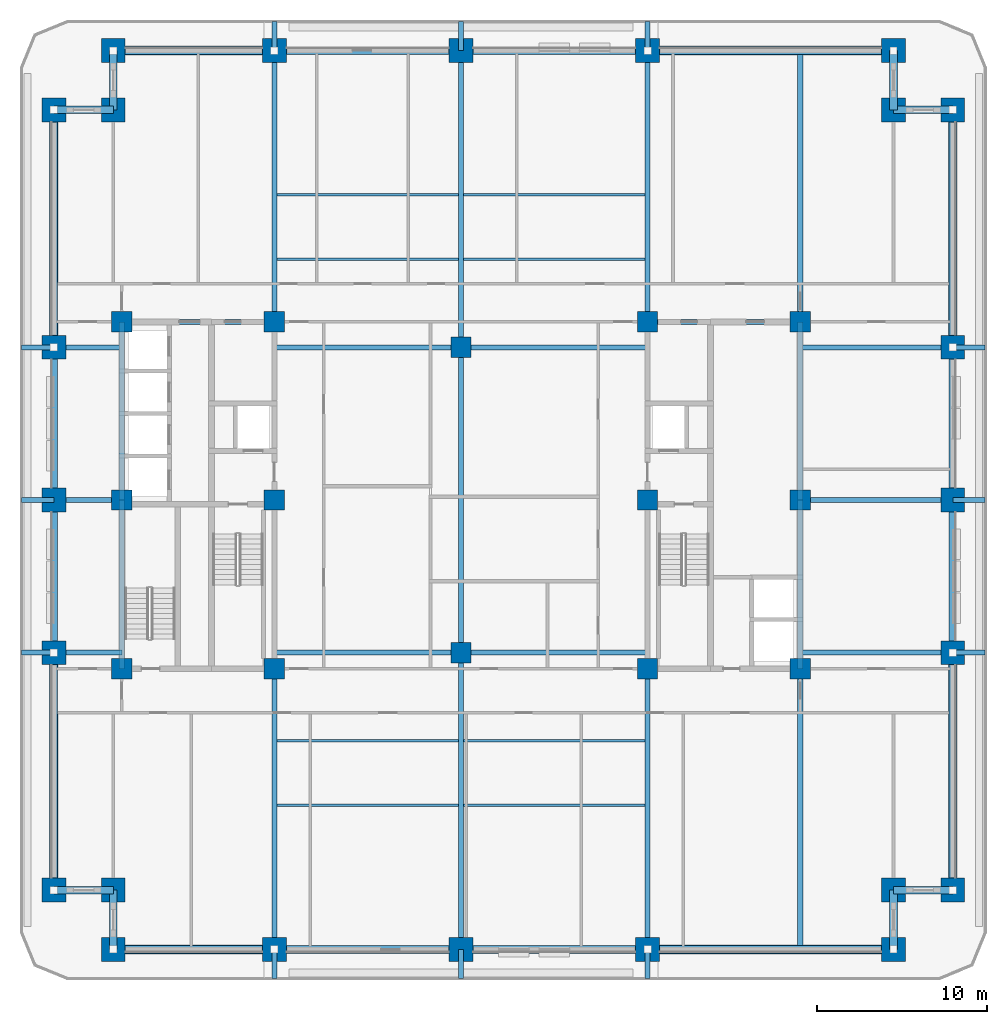
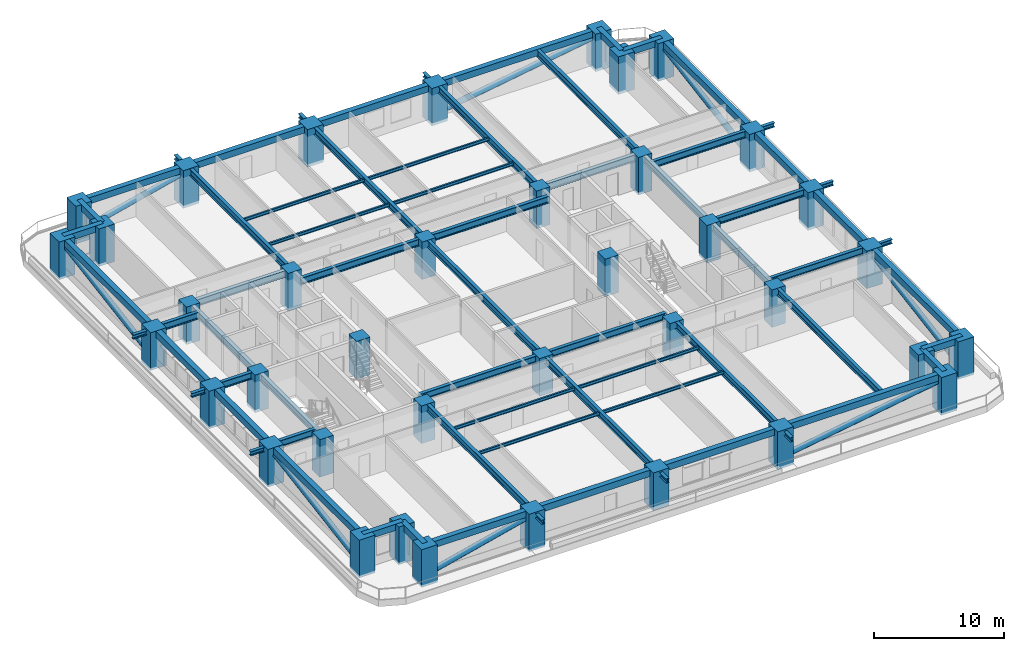
# One storey, part 1 of 14: 69 beams, 38 columns, 8 members.
"""IFC4 building model written with IfcOpenShell, lengths in metres."""

import ifcopenshell
import ifcopenshell.guid

model = None  # the IFC model being written
_history = None  # IfcOwnerHistory: only IFC2X3 demands one
_inside = {}  # id of a spatial element -> (the spatial element, [elements in it])
_under = {}  # id of a project, library or spatial element -> (it, [spatial elements below it])
_declared = {}  # id of a project -> (the project, [libraries it declares])
_typed = {}  # id of a type object -> (the type object, [elements of that type])
_made_of = {}  # id of a material, layer set ... -> (it, [elements and type objects made of it])


def new_model(schema):
    """Start an empty IFC model of exactly this schema.

    Asked for "IFC4X3", IfcOpenShell would pick the latest addendum, in which some entities
    have other attributes; the version numbers below select the first issue.
    IFC2X3 requires an IfcOwnerHistory on every rooted entity: one is made here for all.
    """
    global model, _history
    if schema == "IFC4X3":
        model = ifcopenshell.file(schema_version=(4, 3, 0, 0))
    else:
        model = ifcopenshell.file(schema=schema)
    _inside.clear()
    _under.clear()
    _declared.clear()
    _typed.clear()
    _made_of.clear()
    _history = None
    if model.schema == "IFC2X3":
        org = make("IfcOrganization", Name="unknown")
        user = make(
            "IfcPersonAndOrganization",
            ThePerson=make("IfcPerson", FamilyName="unknown"),
            TheOrganization=org,
        )
        app = make(
            "IfcApplication",
            ApplicationDeveloper=org,
            Version="unknown",
            ApplicationFullName="unknown",
            ApplicationIdentifier="unknown",
        )
        _history = make(
            "IfcOwnerHistory",
            OwningUser=user,
            OwningApplication=app,
            ChangeAction="ADDED",
            CreationDate=0,
        )
    return model


def make(cls, **values):
    """One entity of the class cls with the attributes given. An attribute that is None is left unset."""
    return model.create_entity(
        cls, **{name: value for name, value in values.items() if value is not None}
    )


def rooted(cls, **values):
    """An entity with a GlobalId (a new one), such as an element, a storey or a relation."""
    return make(cls, GlobalId=ifcopenshell.guid.new(), OwnerHistory=_history, **values)


def si_unit(unit_type, name, prefix=None):
    """IfcSIUnit, for example si_unit("LENGTHUNIT", "METRE", prefix="MILLI")."""
    return make("IfcSIUnit", UnitType=unit_type, Prefix=prefix, Name=name)


def assignment(units):
    """IfcUnitAssignment: the units of a project."""
    return None if units is None else make("IfcUnitAssignment", Units=units)


def point(xyz):
    """IfcCartesianPoint."""
    return None if xyz is None else make("IfcCartesianPoint", Coordinates=xyz)


def direction(xyz):
    """IfcDirection."""
    return None if xyz is None else make("IfcDirection", DirectionRatios=xyz)


def frame(location, z_axis=None, x_axis=None):
    """IfcAxis2Placement3D, a coordinate frame: its origin and axes. An axis left out is left unset."""
    return make(
        "IfcAxis2Placement3D",
        Location=point(location),
        Axis=direction(z_axis),
        RefDirection=direction(x_axis),
    )


def frame_2d(location, x_axis=None):
    """IfcAxis2Placement2D, a coordinate frame in the plane: its origin and x axis."""
    return make(
        "IfcAxis2Placement2D", Location=point(location), RefDirection=direction(x_axis)
    )


def origin():
    """The frame at (0, 0, 0) with its axes left unset."""
    return frame((0.0, 0.0, 0.0))


def origin_2d():
    """The frame at (0, 0) in the plane with its x axis left unset."""
    return frame_2d((0.0, 0.0))


def place(relative_to, where):
    """IfcLocalPlacement: puts the frame where relative to a parent placement (None: the world)."""
    return make(
        "IfcLocalPlacement", PlacementRelTo=relative_to, RelativePlacement=where
    )


def context(
    kind, dimensions, precision=None, world=None, true_north=None, identifier=None
):
    """IfcGeometricRepresentationContext, for example the 3D "Model" context."""
    return make(
        "IfcGeometricRepresentationContext",
        ContextIdentifier=identifier,
        ContextType=kind,
        CoordinateSpaceDimension=dimensions,
        Precision=precision,
        WorldCoordinateSystem=world,
        TrueNorth=true_north,
    )


def subcontext(parent, identifier, kind, view, scale=None):
    """IfcGeometricRepresentationSubContext, for example "Body" below "Model"."""
    return make(
        "IfcGeometricRepresentationSubContext",
        ContextIdentifier=identifier,
        ContextType=kind,
        ParentContext=parent,
        TargetScale=scale,
        TargetView=view,
    )


def project(units=None, contexts=None):
    """IfcProject with its units and contexts."""
    return rooted(
        "IfcProject",
        Name="project",
        RepresentationContexts=contexts,
        UnitsInContext=assignment(units),
    )


def spatial(cls, under=None, at=None, **own):
    """A site, building, storey or space (cls), placed at a placement, below another one or the project."""
    s = rooted(cls, ObjectPlacement=at, **own)
    if under is not None:
        _under.setdefault(under.id(), (under, []))[1].append(s)
    return s


def profile(cls, at=None, kind="AREA", **sizes):
    """A parametric profile (cls). Its sizes go by their IFC names, for example OverallWidth=200.0."""
    return make(cls, ProfileType=kind, Position=at, **sizes)


def rectangle(**sizes):
    """IfcRectangleProfileDef."""
    return profile("IfcRectangleProfileDef", **sizes)


def hollow_circle(**sizes):
    """IfcCircleHollowProfileDef."""
    return profile("IfcCircleHollowProfileDef", **sizes)


def i_section(**sizes):
    """IfcIShapeProfileDef."""
    return profile("IfcIShapeProfileDef", **sizes)


def extrude(swept, where, along, depth):
    """IfcExtrudedAreaSolid: the profile swept, set in the frame where, extruded along a direction by depth."""
    return make(
        "IfcExtrudedAreaSolid",
        SweptArea=swept,
        Position=where,
        ExtrudedDirection=direction(along),
        Depth=depth,
    )


def shape(context_of_items, identifier, shape_type, items):
    """IfcShapeRepresentation: the items that make up one representation, for example the "Body"."""
    return make(
        "IfcShapeRepresentation",
        ContextOfItems=context_of_items,
        RepresentationIdentifier=identifier,
        RepresentationType=shape_type,
        Items=items,
    )


def material(Name=None, Category=None):
    """IfcMaterial."""
    return make("IfcMaterial", Name=Name, Category=Category)


def material_profile(
    of_material, cross_section, Name=None, Category=None, Priority=None
):
    """IfcMaterialProfile: a cross section and its material."""
    return make(
        "IfcMaterialProfile",
        Name=Name,
        Material=of_material,
        Profile=cross_section,
        Priority=Priority,
        Category=Category,
    )


def profile_set(profiles, Name=None, composite=None):
    """IfcMaterialProfileSet."""
    return make(
        "IfcMaterialProfileSet",
        Name=Name,
        MaterialProfiles=profiles,
        CompositeProfile=composite,
    )


def made_of(thing, what):
    """Note that an element or type object is made of a material, layer set ...; save() writes the relation."""
    if what is not None:
        _made_of.setdefault(what.id(), (what, []))[1].append(thing)
    return thing


def type_object(cls, material=None, **own):
    """A type object (cls), such as IfcWallType, which elements share."""
    return made_of(rooted(cls, **own), material)


def element(
    cls,
    number,
    at=None,
    inside=None,
    cuts=None,
    type_object=None,
    material=None,
    context=None,
    identifier="Body",
    shape_type=None,
    held_by="IfcProductDefinitionShape",
    body=None,
    shapes=None,
    **own,
):
    """One element of the class cls, such as IfcWall. Its Tag is "e" and its number.

    at: its placement. inside: the storey or other place that contains it. cuts: it is an
    opening in that element (IfcRelVoidsElement). A single representation is given by context,
    identifier, shape_type and body (its items); several are given by shapes. held_by: the class
    of the entity that holds the representations. save() writes the other relations.
    """
    e = rooted(cls, Tag="e%d" % number, ObjectPlacement=at, **own)
    if body is not None:
        shapes = [shape(context, identifier, shape_type, body)]
    if shapes is not None:
        e.Representation = make(held_by, Representations=shapes)
    if inside is not None:
        _inside.setdefault(inside.id(), (inside, []))[1].append(e)
    if cuts is not None:
        rooted(
            "IfcRelVoidsElement", RelatingBuildingElement=cuts, RelatedOpeningElement=e
        )
    if type_object is not None:
        _typed.setdefault(type_object.id(), (type_object, []))[1].append(e)
    return made_of(e, material)


def aggregate(whole, parts):
    """IfcRelAggregates: a whole, such as a stair, and the parts it consists of."""
    return rooted("IfcRelAggregates", RelatingObject=whole, RelatedObjects=parts)


def save(model, path):
    """Write the relations noted so far, then the file.

    IfcRelAggregates (storeys below a building ...), IfcRelContainedInSpatialStructure (elements
    in a storey), IfcRelDefinesByType, IfcRelAssociatesMaterial and IfcRelDeclares: one each for
    every whole, place, type object, material and project.
    """
    for whole, parts in _under.values():
        aggregate(whole, parts)
    for where, things in _inside.values():
        rooted(
            "IfcRelContainedInSpatialStructure",
            RelatedElements=things,
            RelatingStructure=where,
        )
    for kind, things in _typed.values():
        rooted("IfcRelDefinesByType", RelatedObjects=things, RelatingType=kind)
    for what, things in _made_of.values():
        rooted("IfcRelAssociatesMaterial", RelatedObjects=things, RelatingMaterial=what)
    for by, libraries in _declared.values():
        rooted("IfcRelDeclares", RelatingContext=by, RelatedDefinitions=libraries)
    model.write(path)


model = new_model("IFC4")

# Units and contexts
model_context = context("Model", 3, precision=1e-05, world=origin(), true_north=direction((0.0, 1.0)))
body_context = subcontext(model_context, "Body", "Model", "MODEL_VIEW")
ifc_project = project(units=[si_unit("LENGTHUNIT", "METRE"), si_unit("AREAUNIT", "SQUARE_METRE"), si_unit("VOLUMEUNIT", "CUBIC_METRE"), si_unit("PLANEANGLEUNIT", "RADIAN"), si_unit("MASSUNIT", "GRAM", prefix="KILO")], contexts=[model_context])

# Site, building, storey
site_placement = place(None, origin())
site = spatial("IfcSite", under=ifc_project, at=site_placement, CompositionType="ELEMENT")
building_placement = place(site_placement, origin())
building = spatial("IfcBuilding", under=site, at=building_placement, Name="Zulmaris Gate Convention Tower", CompositionType="ELEMENT")
storey_placement = place(building_placement, frame((0.0, 0.0, 30.77001953125)))
storey = spatial("IfcBuildingStorey", under=building, at=storey_placement, Name="L06", CompositionType="ELEMENT", Elevation=30.77001953125)

# Columns
ifc_material_1 = material(Name="Concrete C70/85", Category="concrete")
ifc_material_profile_1 = material_profile(ifc_material_1, rectangle(XDim=1.199951171875, YDim=1.199951171875, at=origin_2d()), Name="RC COL 1200x1200")
ifc_profile_set_1 = profile_set([ifc_material_profile_1], Name="Concrete C70/85")
column_type_1 = type_object("IfcColumnType", Name="COL-RC1200", PredefinedType="COLUMN", material=ifc_profile_set_1)
for number, where, z_axis, x_axis, name in (
    (1, (-20.0, -9.949951171875, -0.25), (0.0, 0.0, 1.0), (1.0, 0.0, 0.0), "L06 Column IN--20.00_-9.95"),
    (2, (-20.0, 10.5, -0.25), (0.0, 0.0, 1.0), (1.0, 0.0, 0.0), "L06 Column IN--20.00_+10.50"),
    (3, (-11.0, -9.949951171875, -0.25), (0.0, 0.0, 1.0), (1.0, 0.0, 0.0), "L06 Column IN--11.00_-9.95"),
    (4, (-11.0, 0.0, -0.25), (0.0, 0.0, 1.0), (1.0, 0.0, 0.0), "L06 Column IN--11.00_+0.00"),
    (5, (-11.0, 10.5, -0.25), (0.0, 0.0, 1.0), (1.0, 0.0, 0.0), "L06 Column IN--11.00_+10.50"),
    (6, (11.0, -9.949951171875, -0.25), (0.0, 0.0, 1.0), (1.0, 0.0, 0.0), "L06 Column IN-+11.00_-9.95"),
    (7, (11.0, 0.0, -0.25), (0.0, 0.0, 1.0), (1.0, 0.0, 0.0), "L06 Column IN-+11.00_+0.00"),
    (8, (11.0, 10.5, -0.25), (0.0, 0.0, 1.0), (1.0, 0.0, 0.0), "L06 Column IN-+11.00_+10.50"),
    (9, (20.0, -9.949951171875, -0.25), (0.0, 0.0, 1.0), (1.0, 0.0, 0.0), "L06 Column IN-+20.00_-9.95"),
    (10, (20.0, 10.5, -0.25), (0.0, 0.0, 1.0), (1.0, 0.0, 0.0), "L06 Column IN-+20.00_+10.50"),
    (11, (0.0, -9.0, -0.25), (0.0, 0.0, 1.0), (1.0, 0.0, 0.0), "L06 Column IN-+0.00_-9.00"),
    (12, (0.0, 9.0, -0.25), (0.0, 0.0, 1.0), (1.0, 0.0, 0.0), "L06 Column IN-+0.00_+9.00"),
    (13, (-20.0, 0.0, -0.25), (0.0, 0.0, 1.0), (1.0, 0.0, 0.0), "L06 Column IN--20.00_+0.00"),
    (14, (20.0, 0.0, -0.25), (0.0, 0.0, 1.0), (1.0, 0.0, 0.0), "L06 Column IN-+20.00_+0.00"),
):
    element("IfcColumn", number, at=place(storey_placement, frame(where, z_axis=z_axis, x_axis=x_axis)), inside=storey, type_object=column_type_1, Name=name, PredefinedType="COLUMN", context=body_context, shape_type="SweptSolid", body=[
        extrude(rectangle(XDim=1.199951171875, YDim=1.199951171875, at=origin_2d()), origin(), (0.0, 0.0, 1.0), 3.52001953125),
    ])
ifc_material_2 = material(Name="Concrete C80/95", Category="concrete")
ifc_material_profile_2 = material_profile(ifc_material_2, rectangle(XDim=1.39990234375, YDim=1.39990234375, at=origin_2d()), Name="RC COL 1400x1400")
ifc_profile_set_2 = profile_set([ifc_material_profile_2], Name="Concrete C80/95")
column_type_2 = type_object("IfcColumnType", Name="COL-RC1400", PredefinedType="COLUMN", material=ifc_profile_set_2)
for number, where, z_axis, x_axis, name in (
    (15, (-20.5, -26.5, -0.25), (0.0, 0.0, 1.0), (1.0, 0.0, 0.0), "L06 Column PT--20.50_-26.50"),
    (16, (-11.0, -26.5, -0.25), (0.0, 0.0, 1.0), (1.0, 0.0, 0.0), "L06 Column PT--11.00_-26.50"),
    (17, (0.0, -26.5, -0.25), (0.0, 0.0, 1.0), (1.0, 0.0, 0.0), "L06 Column PT-+0.00_-26.50"),
    (18, (11.0, -26.5, -0.25), (0.0, 0.0, 1.0), (1.0, 0.0, 0.0), "L06 Column PT-+11.00_-26.50"),
    (19, (25.5, -26.5, -0.25), (0.0, 0.0, 1.0), (1.0, 0.0, 0.0), "L06 Column PT-+25.50_-26.50"),
    (20, (-20.5, 26.5, -0.25), (0.0, 0.0, 1.0), (1.0, 0.0, 0.0), "L06 Column PT--20.50_+26.50"),
    (21, (-11.0, 26.5, -0.25), (0.0, 0.0, 1.0), (1.0, 0.0, 0.0), "L06 Column PT--11.00_+26.50"),
    (22, (0.0, 26.5, -0.25), (0.0, 0.0, 1.0), (1.0, 0.0, 0.0), "L06 Column PT-+0.00_+26.50"),
    (23, (11.0, 26.5, -0.25), (0.0, 0.0, 1.0), (1.0, 0.0, 0.0), "L06 Column PT-+11.00_+26.50"),
    (24, (25.5, 26.5, -0.25), (0.0, 0.0, 1.0), (1.0, 0.0, 0.0), "L06 Column PT-+25.50_+26.50"),
    (25, (-24.0, -23.0, -0.25), (0.0, 0.0, 1.0), (1.0, 0.0, 0.0), "L06 Column PT--24.00_-23.00"),
    (26, (-24.0, -9.0, -0.25), (0.0, 0.0, 1.0), (1.0, 0.0, 0.0), "L06 Column PT--24.00_-9.00"),
    (27, (-24.0, 0.0, -0.25), (0.0, 0.0, 1.0), (1.0, 0.0, 0.0), "L06 Column PT--24.00_+0.00"),
    (28, (-24.0, 9.0, -0.25), (0.0, 0.0, 1.0), (1.0, 0.0, 0.0), "L06 Column PT--24.00_+9.00"),
    (29, (-24.0, 23.0, -0.25), (0.0, 0.0, 1.0), (1.0, 0.0, 0.0), "L06 Column PT--24.00_+23.00"),
    (30, (29.0, -23.0, -0.25), (0.0, 0.0, 1.0), (1.0, 0.0, 0.0), "L06 Column PT-+29.00_-23.00"),
    (31, (29.0, -9.0, -0.25), (0.0, 0.0, 1.0), (1.0, 0.0, 0.0), "L06 Column PT-+29.00_-9.00"),
    (32, (29.0, 0.0, -0.25), (0.0, 0.0, 1.0), (1.0, 0.0, 0.0), "L06 Column PT-+29.00_+0.00"),
    (33, (29.0, 9.0, -0.25), (0.0, 0.0, 1.0), (1.0, 0.0, 0.0), "L06 Column PT-+29.00_+9.00"),
    (34, (29.0, 23.0, -0.25), (0.0, 0.0, 1.0), (1.0, 0.0, 0.0), "L06 Column PT-+29.00_+23.00"),
    (35, (-20.5, -23.0, -0.25), (0.0, 0.0, 1.0), (1.0, 0.0, 0.0), "L06 Column PT--20.50_-23.00"),
    (36, (25.5, -23.0, -0.25), (0.0, 0.0, 1.0), (1.0, 0.0, 0.0), "L06 Column PT-+25.50_-23.00"),
    (37, (25.5, 23.0, -0.25), (0.0, 0.0, 1.0), (1.0, 0.0, 0.0), "L06 Column PT-+25.50_+23.00"),
    (38, (-20.5, 23.0, -0.25), (0.0, 0.0, 1.0), (1.0, 0.0, 0.0), "L06 Column PT--20.50_+23.00"),
):
    element("IfcColumn", number, at=place(storey_placement, frame(where, z_axis=z_axis, x_axis=x_axis)), inside=storey, type_object=column_type_2, Name=name, PredefinedType="COLUMN", context=body_context, shape_type="SweptSolid", body=[
        extrude(rectangle(XDim=1.39990234375, YDim=1.39990234375, at=origin_2d()), origin(), (0.0, 0.0, 1.0), 3.52001953125),
    ])

# Beams
ifc_material_3 = material(Name="Steel S355", Category="steel")
ifc_material_profile_3 = material_profile(ifc_material_3, i_section(OverallWidth=0.300048828125, OverallDepth=0.39990234375, WebThickness=0.013427734375, FlangeThickness=0.02392578125, FilletRadius=0.027099609375, at=origin_2d()), Name="HEB 400")
ifc_profile_set_3 = profile_set([ifc_material_profile_3], Name="Steel S355")
beam_type_1 = type_object("IfcBeamType", Name="BM-HEB400", PredefinedType="BEAM", material=ifc_profile_set_3)
for number, where, z_axis, x_axis, name in (
    (39, (-11.0, -28.199951171875, 2.93017578125), (0.0, 1.0, 0.0), (-1.0, 0.0, 0.0), "L06 Beam TBRK-L06-S--11"),
    (40, (-11.0, 26.5, 2.93017578125), (0.0, 1.0, 0.0), (-1.0, 0.0, 0.0), "L06 Beam TBRK-L06-N--11"),
    (41, (0.0, -28.199951171875, 2.93017578125), (0.0, 1.0, 0.0), (-1.0, 0.0, 0.0), "L06 Beam TBRK-L06-S-+0"),
    (42, (0.0, 26.5, 2.93017578125), (0.0, 1.0, 0.0), (-1.0, 0.0, 0.0), "L06 Beam TBRK-L06-N-+0"),
    (43, (11.0, -28.199951171875, 2.93017578125), (0.0, 1.0, 0.0), (-1.0, 0.0, 0.0), "L06 Beam TBRK-L06-S-+11"),
    (44, (11.0, 26.5, 2.93017578125), (0.0, 1.0, 0.0), (-1.0, 0.0, 0.0), "L06 Beam TBRK-L06-N-+11"),
):
    element("IfcBeam", number, at=place(storey_placement, frame(where, z_axis=z_axis, x_axis=x_axis)), inside=storey, type_object=beam_type_1, Name=name, PredefinedType="BEAM", context=body_context, shape_type="SweptSolid", body=[
        extrude(i_section(OverallWidth=0.300048828125, OverallDepth=0.39990234375, WebThickness=0.013427734375, FlangeThickness=0.02392578125, FilletRadius=0.027099609375, at=origin_2d()), origin(), (0.0, 0.0, 1.0), 1.699951171875),
    ])
for number, where, z_axis, x_axis, name in (
    (45, (-25.89990234375, -9.0, 2.93017578125), (1.0, 0.0, 0.0), (0.0, 1.0, 0.0), "L06 Beam TBRK-L06-W--9"),
    (46, (29.0, -9.0, 2.93017578125), (1.0, 0.0, 0.0), (0.0, 1.0, 0.0), "L06 Beam TBRK-L06-E--9"),
    (47, (-25.89990234375, 0.0, 2.93017578125), (1.0, 0.0, 0.0), (0.0, 1.0, 0.0), "L06 Beam TBRK-L06-W-+0"),
    (48, (29.0, 0.0, 2.93017578125), (1.0, 0.0, 0.0), (0.0, 1.0, 0.0), "L06 Beam TBRK-L06-E-+0"),
    (49, (-25.89990234375, 9.0, 2.93017578125), (1.0, 0.0, 0.0), (0.0, 1.0, 0.0), "L06 Beam TBRK-L06-W-+9"),
    (50, (29.0, 9.0, 2.93017578125), (1.0, 0.0, 0.0), (0.0, 1.0, 0.0), "L06 Beam TBRK-L06-E-+9"),
):
    element("IfcBeam", number, at=place(storey_placement, frame(where, z_axis=z_axis, x_axis=x_axis)), inside=storey, type_object=beam_type_1, Name=name, PredefinedType="BEAM", context=body_context, shape_type="SweptSolid", body=[
        extrude(i_section(OverallWidth=0.300048828125, OverallDepth=0.39990234375, WebThickness=0.013427734375, FlangeThickness=0.02392578125, FilletRadius=0.027099609375, at=origin_2d()), origin(), (0.0, 0.0, 1.0), 1.89990234375),
    ])
ifc_material_profile_4 = material_profile(ifc_material_3, i_section(OverallWidth=0.300048828125, OverallDepth=0.64990234375, WebThickness=0.01611328125, FlangeThickness=0.031005859375, FilletRadius=0.027099609375, at=origin_2d()), Name="HEB 650")
ifc_profile_set_4 = profile_set([ifc_material_profile_4], Name="Steel S355")
beam_type_2 = type_object("IfcBeamType", Name="BM-HEB650", PredefinedType="BEAM", material=ifc_profile_set_4)
for number, where, z_axis, x_axis, name in (
    (51, (-11.0, -9.0, 2.943115234375), (1.0, 0.0, 0.0), (0.0, 1.0, 0.0), "L06 Beam BM-L06-G01"),
    (52, (0.0, -9.0, 2.943115234375), (1.0, 0.0, 0.0), (0.0, 1.0, 0.0), "L06 Beam BM-L06-G02"),
    (53, (-11.0, 9.0, 2.943115234375), (1.0, 0.0, 0.0), (0.0, 1.0, 0.0), "L06 Beam BM-L06-G03"),
    (54, (0.0, 9.0, 2.943115234375), (1.0, 0.0, 0.0), (0.0, 1.0, 0.0), "L06 Beam BM-L06-G04"),
):
    element("IfcBeam", number, at=place(storey_placement, frame(where, z_axis=z_axis, x_axis=x_axis)), inside=storey, type_object=beam_type_2, Name=name, PredefinedType="BEAM", context=body_context, shape_type="SweptSolid", body=[
        extrude(i_section(OverallWidth=0.300048828125, OverallDepth=0.64990234375, WebThickness=0.01611328125, FlangeThickness=0.031005859375, FilletRadius=0.027099609375, at=origin_2d()), origin(), (0.0, 0.0, 1.0), 11.0),
    ])
beam_1_placement = place(storey_placement, frame((0.0, -26.5, 2.943115234375), z_axis=(0.0, 1.0, 0.0), x_axis=(-1.0, 0.0, 0.0)))
element("IfcBeam", 55, at=beam_1_placement, inside=storey, type_object=beam_type_2, Name="L06 Beam BM-L06-G05", PredefinedType="BEAM", context=body_context, shape_type="SweptSolid", body=[
    extrude(i_section(OverallWidth=0.300048828125, OverallDepth=0.64990234375, WebThickness=0.01611328125, FlangeThickness=0.031005859375, FilletRadius=0.027099609375, at=origin_2d()), origin(), (0.0, 0.0, 1.0), 17.5),
])
beam_2_placement = place(storey_placement, frame((0.0, -9.0, 2.943115234375), z_axis=(0.0, 1.0, 0.0), x_axis=(-1.0, 0.0, 0.0)))
element("IfcBeam", 56, at=beam_2_placement, inside=storey, type_object=beam_type_2, Name="L06 Beam BM-L06-G06", PredefinedType="BEAM", context=body_context, shape_type="SweptSolid", body=[
    extrude(i_section(OverallWidth=0.300048828125, OverallDepth=0.64990234375, WebThickness=0.01611328125, FlangeThickness=0.031005859375, FilletRadius=0.027099609375, at=origin_2d()), origin(), (0.0, 0.0, 1.0), 18.0),
])
beam_3_placement = place(storey_placement, frame((0.0, 9.0, 2.943115234375), z_axis=(0.0, 1.0, 0.0), x_axis=(-1.0, 0.0, 0.0)))
element("IfcBeam", 57, at=beam_3_placement, inside=storey, type_object=beam_type_2, Name="L06 Beam BM-L06-G07", PredefinedType="BEAM", context=body_context, shape_type="SweptSolid", body=[
    extrude(i_section(OverallWidth=0.300048828125, OverallDepth=0.64990234375, WebThickness=0.01611328125, FlangeThickness=0.031005859375, FilletRadius=0.027099609375, at=origin_2d()), origin(), (0.0, 0.0, 1.0), 17.5),
])
beam_4_placement = place(storey_placement, frame((-11.0, -26.5, 2.943115234375), z_axis=(0.0, 1.0, 0.0), x_axis=(-1.0, 0.0, 0.0)))
element("IfcBeam", 58, at=beam_4_placement, inside=storey, type_object=beam_type_2, Name="L06 Beam BM-L06-G08", PredefinedType="BEAM", context=body_context, shape_type="SweptSolid", body=[
    extrude(i_section(OverallWidth=0.300048828125, OverallDepth=0.64990234375, WebThickness=0.01611328125, FlangeThickness=0.031005859375, FilletRadius=0.027099609375, at=origin_2d()), origin(), (0.0, 0.0, 1.0), 16.550048828125),
])
beam_5_placement = place(storey_placement, frame((-11.0, 10.5, 2.943115234375), z_axis=(0.0, 1.0, 0.0), x_axis=(-1.0, 0.0, 0.0)))
element("IfcBeam", 59, at=beam_5_placement, inside=storey, type_object=beam_type_2, Name="L06 Beam BM-L06-G09", PredefinedType="BEAM", context=body_context, shape_type="SweptSolid", body=[
    extrude(i_section(OverallWidth=0.300048828125, OverallDepth=0.64990234375, WebThickness=0.01611328125, FlangeThickness=0.031005859375, FilletRadius=0.027099609375, at=origin_2d()), origin(), (0.0, 0.0, 1.0), 16.0),
])
beam_6_placement = place(storey_placement, frame((11.0, -26.5, 2.943115234375), z_axis=(0.0, 1.0, 0.0), x_axis=(-1.0, 0.0, 0.0)))
element("IfcBeam", 60, at=beam_6_placement, inside=storey, type_object=beam_type_2, Name="L06 Beam BM-L06-G10", PredefinedType="BEAM", context=body_context, shape_type="SweptSolid", body=[
    extrude(i_section(OverallWidth=0.300048828125, OverallDepth=0.64990234375, WebThickness=0.01611328125, FlangeThickness=0.031005859375, FilletRadius=0.027099609375, at=origin_2d()), origin(), (0.0, 0.0, 1.0), 16.550048828125),
])
beam_7_placement = place(storey_placement, frame((11.0, 10.5, 2.943115234375), z_axis=(0.0, 1.0, 0.0), x_axis=(-1.0, 0.0, 0.0)))
element("IfcBeam", 61, at=beam_7_placement, inside=storey, type_object=beam_type_2, Name="L06 Beam BM-L06-G11", PredefinedType="BEAM", context=body_context, shape_type="SweptSolid", body=[
    extrude(i_section(OverallWidth=0.300048828125, OverallDepth=0.64990234375, WebThickness=0.01611328125, FlangeThickness=0.031005859375, FilletRadius=0.027099609375, at=origin_2d()), origin(), (0.0, 0.0, 1.0), 16.0),
])
beam_8_placement = place(storey_placement, frame((20.0, -26.5, 2.943115234375), z_axis=(0.0, 1.0, 0.0), x_axis=(-1.0, 0.0, 0.0)))
element("IfcBeam", 62, at=beam_8_placement, inside=storey, type_object=beam_type_2, Name="L06 Beam BM-L06-G14", PredefinedType="BEAM", context=body_context, shape_type="SweptSolid", body=[
    extrude(i_section(OverallWidth=0.300048828125, OverallDepth=0.64990234375, WebThickness=0.01611328125, FlangeThickness=0.031005859375, FilletRadius=0.027099609375, at=origin_2d()), origin(), (0.0, 0.0, 1.0), 16.550048828125),
])
beam_9_placement = place(storey_placement, frame((20.0, 10.5, 2.943115234375), z_axis=(0.0, 1.0, 0.0), x_axis=(-1.0, 0.0, 0.0)))
element("IfcBeam", 63, at=beam_9_placement, inside=storey, type_object=beam_type_2, Name="L06 Beam BM-L06-G15", PredefinedType="BEAM", context=body_context, shape_type="SweptSolid", body=[
    extrude(i_section(OverallWidth=0.300048828125, OverallDepth=0.64990234375, WebThickness=0.01611328125, FlangeThickness=0.031005859375, FilletRadius=0.027099609375, at=origin_2d()), origin(), (0.0, 0.0, 1.0), 16.0),
])
for number, where, z_axis, x_axis, name in (
    (64, (-24.0, -9.0, 2.943115234375), (1.0, 0.0, 0.0), (0.0, 1.0, 0.0), "L06 Beam BM-L06-G16"),
    (65, (-24.0, 0.0, 2.943115234375), (1.0, 0.0, 0.0), (0.0, 1.0, 0.0), "L06 Beam BM-L06-G17"),
    (66, (-24.0, 9.0, 2.943115234375), (1.0, 0.0, 0.0), (0.0, 1.0, 0.0), "L06 Beam BM-L06-G18"),
):
    element("IfcBeam", number, at=place(storey_placement, frame(where, z_axis=z_axis, x_axis=x_axis)), inside=storey, type_object=beam_type_2, Name=name, PredefinedType="BEAM", context=body_context, shape_type="SweptSolid", body=[
        extrude(i_section(OverallWidth=0.300048828125, OverallDepth=0.64990234375, WebThickness=0.01611328125, FlangeThickness=0.031005859375, FilletRadius=0.027099609375, at=origin_2d()), origin(), (0.0, 0.0, 1.0), 4.0),
    ])
for number, where, z_axis, x_axis, name in (
    (67, (20.0, -9.0, 2.943115234375), (1.0, 0.0, 0.0), (0.0, 1.0, 0.0), "L06 Beam BM-L06-G19"),
    (68, (20.0, 0.0, 2.943115234375), (1.0, 0.0, 0.0), (0.0, 1.0, 0.0), "L06 Beam BM-L06-G20"),
    (69, (20.0, 9.0, 2.943115234375), (1.0, 0.0, 0.0), (0.0, 1.0, 0.0), "L06 Beam BM-L06-G21"),
    (70, (-20.0, 10.5, 2.943115234375), (1.0, 0.0, 0.0), (0.0, 1.0, 0.0), "L06 Beam BM-L06-G23"),
    (71, (11.0, 10.5, 2.943115234375), (1.0, 0.0, 0.0), (0.0, 1.0, 0.0), "L06 Beam BM-L06-G25"),
):
    element("IfcBeam", number, at=place(storey_placement, frame(where, z_axis=z_axis, x_axis=x_axis)), inside=storey, type_object=beam_type_2, Name=name, PredefinedType="BEAM", context=body_context, shape_type="SweptSolid", body=[
        extrude(i_section(OverallWidth=0.300048828125, OverallDepth=0.64990234375, WebThickness=0.01611328125, FlangeThickness=0.031005859375, FilletRadius=0.027099609375, at=origin_2d()), origin(), (0.0, 0.0, 1.0), 9.0),
    ])
beam_10_placement = place(storey_placement, frame((-20.0, -9.949951171875, 2.943115234375), z_axis=(0.0, 1.0, 0.0), x_axis=(-1.0, 0.0, 0.0)))
element("IfcBeam", 72, at=beam_10_placement, inside=storey, type_object=beam_type_2, Name="L06 Beam BM-L06-G26", PredefinedType="BEAM", context=body_context, shape_type="SweptSolid", body=[
    extrude(i_section(OverallWidth=0.300048828125, OverallDepth=0.64990234375, WebThickness=0.01611328125, FlangeThickness=0.031005859375, FilletRadius=0.027099609375, at=origin_2d()), origin(), (0.0, 0.0, 1.0), 9.949951171875),
])
beam_11_placement = place(storey_placement, frame((-20.0, 0.0, 2.943115234375), z_axis=(0.0, 1.0, 0.0), x_axis=(-1.0, 0.0, 0.0)))
element("IfcBeam", 73, at=beam_11_placement, inside=storey, type_object=beam_type_2, Name="L06 Beam BM-L06-G27", PredefinedType="BEAM", context=body_context, shape_type="SweptSolid", body=[
    extrude(i_section(OverallWidth=0.300048828125, OverallDepth=0.64990234375, WebThickness=0.01611328125, FlangeThickness=0.031005859375, FilletRadius=0.027099609375, at=origin_2d()), origin(), (0.0, 0.0, 1.0), 10.5),
])
beam_12_placement = place(storey_placement, frame((20.0, -9.949951171875, 2.943115234375), z_axis=(0.0, 1.0, 0.0), x_axis=(-1.0, 0.0, 0.0)))
element("IfcBeam", 74, at=beam_12_placement, inside=storey, type_object=beam_type_2, Name="L06 Beam BM-L06-G28", PredefinedType="BEAM", context=body_context, shape_type="SweptSolid", body=[
    extrude(i_section(OverallWidth=0.300048828125, OverallDepth=0.64990234375, WebThickness=0.01611328125, FlangeThickness=0.031005859375, FilletRadius=0.027099609375, at=origin_2d()), origin(), (0.0, 0.0, 1.0), 9.949951171875),
])
beam_13_placement = place(storey_placement, frame((20.0, 0.0, 2.943115234375), z_axis=(0.0, 1.0, 0.0), x_axis=(-1.0, 0.0, 0.0)))
element("IfcBeam", 75, at=beam_13_placement, inside=storey, type_object=beam_type_2, Name="L06 Beam BM-L06-G29", PredefinedType="BEAM", context=body_context, shape_type="SweptSolid", body=[
    extrude(i_section(OverallWidth=0.300048828125, OverallDepth=0.64990234375, WebThickness=0.01611328125, FlangeThickness=0.031005859375, FilletRadius=0.027099609375, at=origin_2d()), origin(), (0.0, 0.0, 1.0), 10.5),
])
ifc_material_4 = material(Name="Precast concrete C50/60", Category="concrete")
ifc_material_profile_5 = material_profile(ifc_material_4, rectangle(XDim=0.449951171875, YDim=0.60009765625, at=origin_2d()), Name="RC SPANDREL 450x600")
ifc_profile_set_5 = profile_set([ifc_material_profile_5], Name="Precast concrete C50/60")
beam_type_3 = type_object("IfcBeamType", Name="BM-SP450x600", PredefinedType="SPANDREL", material=ifc_profile_set_5)
beam_14_placement = place(storey_placement, frame((-20.5, -26.5, 2.969970703125), z_axis=(1.0, 0.0, 0.0), x_axis=(0.0, 1.0, 0.0)))
element("IfcBeam", 76, at=beam_14_placement, inside=storey, type_object=beam_type_3, Name="L06 Spandrel SP-L06-01", PredefinedType="SPANDREL", context=body_context, shape_type="SweptSolid", body=[
    extrude(rectangle(XDim=0.449951171875, YDim=0.60009765625, at=origin_2d()), origin(), (0.0, 0.0, 1.0), 9.5),
])
for number, where, z_axis, x_axis, name in (
    (77, (-11.0, -26.5, 2.969970703125), (1.0, 0.0, 0.0), (0.0, 1.0, 0.0), "L06 Spandrel SP-L06-02"),
    (78, (0.0, -26.5, 2.969970703125), (1.0, 0.0, 0.0), (0.0, 1.0, 0.0), "L06 Spandrel SP-L06-03"),
):
    element("IfcBeam", number, at=place(storey_placement, frame(where, z_axis=z_axis, x_axis=x_axis)), inside=storey, type_object=beam_type_3, Name=name, PredefinedType="SPANDREL", context=body_context, shape_type="SweptSolid", body=[
        extrude(rectangle(XDim=0.449951171875, YDim=0.60009765625, at=origin_2d()), origin(), (0.0, 0.0, 1.0), 11.0),
    ])
beam_15_placement = place(storey_placement, frame((11.0, -26.5, 2.969970703125), z_axis=(1.0, 0.0, 0.0), x_axis=(0.0, 1.0, 0.0)))
element("IfcBeam", 79, at=beam_15_placement, inside=storey, type_object=beam_type_3, Name="L06 Spandrel SP-L06-04", PredefinedType="SPANDREL", context=body_context, shape_type="SweptSolid", body=[
    extrude(rectangle(XDim=0.449951171875, YDim=0.60009765625, at=origin_2d()), origin(), (0.0, 0.0, 1.0), 14.5),
])
for number, where, z_axis, x_axis, name in (
    (80, (25.5, -26.5, 2.969970703125), (0.0, 1.0, 0.0), (-1.0, 0.0, 0.0), "L06 Spandrel SP-L06-05"),
    (81, (25.5, -23.0, 2.969970703125), (1.0, 0.0, 0.0), (0.0, 1.0, 0.0), "L06 Spandrel SP-L06-06"),
):
    element("IfcBeam", number, at=place(storey_placement, frame(where, z_axis=z_axis, x_axis=x_axis)), inside=storey, type_object=beam_type_3, Name=name, PredefinedType="SPANDREL", context=body_context, shape_type="SweptSolid", body=[
        extrude(rectangle(XDim=0.449951171875, YDim=0.60009765625, at=origin_2d()), origin(), (0.0, 0.0, 1.0), 3.5),
    ])
beam_16_placement = place(storey_placement, frame((29.0, -23.0, 2.969970703125), z_axis=(0.0, 1.0, 0.0), x_axis=(-1.0, 0.0, 0.0)))
element("IfcBeam", 82, at=beam_16_placement, inside=storey, type_object=beam_type_3, Name="L06 Spandrel SP-L06-07", PredefinedType="SPANDREL", context=body_context, shape_type="SweptSolid", body=[
    extrude(rectangle(XDim=0.449951171875, YDim=0.60009765625, at=origin_2d()), origin(), (0.0, 0.0, 1.0), 14.0),
])
for number, where, z_axis, x_axis, name in (
    (83, (29.0, -9.0, 2.969970703125), (0.0, 1.0, 0.0), (-1.0, 0.0, 0.0), "L06 Spandrel SP-L06-08"),
    (84, (29.0, 0.0, 2.969970703125), (0.0, 1.0, 0.0), (-1.0, 0.0, 0.0), "L06 Spandrel SP-L06-09"),
):
    element("IfcBeam", number, at=place(storey_placement, frame(where, z_axis=z_axis, x_axis=x_axis)), inside=storey, type_object=beam_type_3, Name=name, PredefinedType="SPANDREL", context=body_context, shape_type="SweptSolid", body=[
        extrude(rectangle(XDim=0.449951171875, YDim=0.60009765625, at=origin_2d()), origin(), (0.0, 0.0, 1.0), 9.0),
    ])
beam_17_placement = place(storey_placement, frame((29.0, 9.0, 2.969970703125), z_axis=(0.0, 1.0, 0.0), x_axis=(-1.0, 0.0, 0.0)))
element("IfcBeam", 85, at=beam_17_placement, inside=storey, type_object=beam_type_3, Name="L06 Spandrel SP-L06-10", PredefinedType="SPANDREL", context=body_context, shape_type="SweptSolid", body=[
    extrude(rectangle(XDim=0.449951171875, YDim=0.60009765625, at=origin_2d()), origin(), (0.0, 0.0, 1.0), 14.0),
])
for number, where, z_axis, x_axis, name in (
    (86, (29.0, 23.0, 2.969970703125), (-1.0, 0.0, 0.0), (0.0, -1.0, 0.0), "L06 Spandrel SP-L06-11"),
    (87, (25.5, 23.0, 2.969970703125), (0.0, 1.0, 0.0), (-1.0, 0.0, 0.0), "L06 Spandrel SP-L06-12"),
):
    element("IfcBeam", number, at=place(storey_placement, frame(where, z_axis=z_axis, x_axis=x_axis)), inside=storey, type_object=beam_type_3, Name=name, PredefinedType="SPANDREL", context=body_context, shape_type="SweptSolid", body=[
        extrude(rectangle(XDim=0.449951171875, YDim=0.60009765625, at=origin_2d()), origin(), (0.0, 0.0, 1.0), 3.5),
    ])
beam_18_placement = place(storey_placement, frame((25.5, 26.5, 2.969970703125), z_axis=(-1.0, 0.0, 0.0), x_axis=(0.0, -1.0, 0.0)))
element("IfcBeam", 88, at=beam_18_placement, inside=storey, type_object=beam_type_3, Name="L06 Spandrel SP-L06-13", PredefinedType="SPANDREL", context=body_context, shape_type="SweptSolid", body=[
    extrude(rectangle(XDim=0.449951171875, YDim=0.60009765625, at=origin_2d()), origin(), (0.0, 0.0, 1.0), 14.5),
])
for number, where, z_axis, x_axis, name in (
    (89, (11.0, 26.5, 2.969970703125), (-1.0, 0.0, 0.0), (0.0, -1.0, 0.0), "L06 Spandrel SP-L06-14"),
    (90, (0.0, 26.5, 2.969970703125), (-1.0, 0.0, 0.0), (0.0, -1.0, 0.0), "L06 Spandrel SP-L06-15"),
):
    element("IfcBeam", number, at=place(storey_placement, frame(where, z_axis=z_axis, x_axis=x_axis)), inside=storey, type_object=beam_type_3, Name=name, PredefinedType="SPANDREL", context=body_context, shape_type="SweptSolid", body=[
        extrude(rectangle(XDim=0.449951171875, YDim=0.60009765625, at=origin_2d()), origin(), (0.0, 0.0, 1.0), 11.0),
    ])
beam_19_placement = place(storey_placement, frame((-11.0, 26.5, 2.969970703125), z_axis=(-1.0, 0.0, 0.0), x_axis=(0.0, -1.0, 0.0)))
element("IfcBeam", 91, at=beam_19_placement, inside=storey, type_object=beam_type_3, Name="L06 Spandrel SP-L06-16", PredefinedType="SPANDREL", context=body_context, shape_type="SweptSolid", body=[
    extrude(rectangle(XDim=0.449951171875, YDim=0.60009765625, at=origin_2d()), origin(), (0.0, 0.0, 1.0), 9.5),
])
for number, where, z_axis, x_axis, name in (
    (92, (-20.5, 26.5, 2.969970703125), (0.0, -1.0, 0.0), (1.0, 0.0, 0.0), "L06 Spandrel SP-L06-17"),
    (93, (-20.5, 23.0, 2.969970703125), (-1.0, 0.0, 0.0), (0.0, -1.0, 0.0), "L06 Spandrel SP-L06-18"),
):
    element("IfcBeam", number, at=place(storey_placement, frame(where, z_axis=z_axis, x_axis=x_axis)), inside=storey, type_object=beam_type_3, Name=name, PredefinedType="SPANDREL", context=body_context, shape_type="SweptSolid", body=[
        extrude(rectangle(XDim=0.449951171875, YDim=0.60009765625, at=origin_2d()), origin(), (0.0, 0.0, 1.0), 3.5),
    ])
beam_20_placement = place(storey_placement, frame((-24.0, 23.0, 2.969970703125), z_axis=(0.0, -1.0, 0.0), x_axis=(1.0, 0.0, 0.0)))
element("IfcBeam", 94, at=beam_20_placement, inside=storey, type_object=beam_type_3, Name="L06 Spandrel SP-L06-19", PredefinedType="SPANDREL", context=body_context, shape_type="SweptSolid", body=[
    extrude(rectangle(XDim=0.449951171875, YDim=0.60009765625, at=origin_2d()), origin(), (0.0, 0.0, 1.0), 14.0),
])
for number, where, z_axis, x_axis, name in (
    (95, (-24.0, 9.0, 2.969970703125), (0.0, -1.0, 0.0), (1.0, 0.0, 0.0), "L06 Spandrel SP-L06-20"),
    (96, (-24.0, 0.0, 2.969970703125), (0.0, -1.0, 0.0), (1.0, 0.0, 0.0), "L06 Spandrel SP-L06-21"),
):
    element("IfcBeam", number, at=place(storey_placement, frame(where, z_axis=z_axis, x_axis=x_axis)), inside=storey, type_object=beam_type_3, Name=name, PredefinedType="SPANDREL", context=body_context, shape_type="SweptSolid", body=[
        extrude(rectangle(XDim=0.449951171875, YDim=0.60009765625, at=origin_2d()), origin(), (0.0, 0.0, 1.0), 9.0),
    ])
beam_21_placement = place(storey_placement, frame((-24.0, -9.0, 2.969970703125), z_axis=(0.0, -1.0, 0.0), x_axis=(1.0, 0.0, 0.0)))
element("IfcBeam", 97, at=beam_21_placement, inside=storey, type_object=beam_type_3, Name="L06 Spandrel SP-L06-22", PredefinedType="SPANDREL", context=body_context, shape_type="SweptSolid", body=[
    extrude(rectangle(XDim=0.449951171875, YDim=0.60009765625, at=origin_2d()), origin(), (0.0, 0.0, 1.0), 14.0),
])
for number, where, z_axis, x_axis, name in (
    (98, (-24.0, -23.0, 2.969970703125), (1.0, 0.0, 0.0), (0.0, 1.0, 0.0), "L06 Spandrel SP-L06-23"),
    (99, (-20.5, -23.0, 2.969970703125), (0.0, -1.0, 0.0), (1.0, 0.0, 0.0), "L06 Spandrel SP-L06-24"),
):
    element("IfcBeam", number, at=place(storey_placement, frame(where, z_axis=z_axis, x_axis=x_axis)), inside=storey, type_object=beam_type_3, Name=name, PredefinedType="SPANDREL", context=body_context, shape_type="SweptSolid", body=[
        extrude(rectangle(XDim=0.449951171875, YDim=0.60009765625, at=origin_2d()), origin(), (0.0, 0.0, 1.0), 3.5),
    ])

# Members
ifc_material_5 = material(Name="Steel S460", Category="steel")
ifc_material_profile_6 = material_profile(ifc_material_5, hollow_circle(Radius=0.25390625, WallThickness=0.02490234375, at=origin_2d()), Name="CHS 508x25")
ifc_profile_set_6 = profile_set([ifc_material_profile_6], Name="Steel S460")
member_type = type_object("IfcMemberType", Name="BR-CHS508", PredefinedType="BRACE", material=ifc_profile_set_6)
for number, where, z_axis, x_axis, name in (
    (100, (-24.0, -23.0, 0.300048828125), (0.0, 0.986201752628, 0.165547887674), (-1.0, 0.0, 0.0), "L06 Perimeter Tube Diagonal SW-W"),
    (101, (-24.0, 9.0, 0.300048828125), (0.0, 0.986201752628, 0.165547887674), (-1.0, 0.0, 0.0), "L06 Perimeter Tube Diagonal NW-W"),
    (102, (29.0, -23.0, 0.300048828125), (0.0, 0.986201752628, 0.165547887674), (-1.0, 0.0, 0.0), "L06 Perimeter Tube Diagonal SE-E"),
    (103, (29.0, 9.0, 0.300048828125), (0.0, 0.986201752628, 0.165547887674), (-1.0, 0.0, 0.0), "L06 Perimeter Tube Diagonal NE-E"),
):
    element("IfcMember", number, at=place(storey_placement, frame(where, z_axis=z_axis, x_axis=x_axis)), inside=storey, type_object=member_type, Name=name, PredefinedType="BRACE", context=body_context, shape_type="SweptSolid", body=[
        extrude(hollow_circle(Radius=0.25390625, WallThickness=0.02490234375, at=origin_2d()), origin(), (0.0, 0.0, 1.0), 14.19580078125),
    ])
member_1_placement = place(storey_placement, frame((-20.5, -26.5, 0.300048828125), z_axis=(0.97073827245, 0.0, 0.240139972518), x_axis=(0.0, 1.0, 0.0)))
element("IfcMember", 104, at=member_1_placement, inside=storey, type_object=member_type, Name="L06 Perimeter Tube Diagonal SW-S", PredefinedType="BRACE", context=body_context, shape_type="SweptSolid", body=[
    extrude(hollow_circle(Radius=0.25390625, WallThickness=0.02490234375, at=origin_2d()), origin(), (0.0, 0.0, 1.0), 9.786376953125),
])
member_2_placement = place(storey_placement, frame((11.0, -26.5, 0.300048828125), z_axis=(0.987118959838, 0.0, 0.159987996825), x_axis=(0.0, 1.0, 0.0)))
element("IfcMember", 105, at=member_2_placement, inside=storey, type_object=member_type, Name="L06 Perimeter Tube Diagonal SE-S", PredefinedType="BRACE", context=body_context, shape_type="SweptSolid", body=[
    extrude(hollow_circle(Radius=0.25390625, WallThickness=0.02490234375, at=origin_2d()), origin(), (0.0, 0.0, 1.0), 14.689208984375),
])
member_3_placement = place(storey_placement, frame((-20.5, 26.5, 0.300048828125), z_axis=(0.97073827245, 0.0, 0.240139972518), x_axis=(0.0, 1.0, 0.0)))
element("IfcMember", 106, at=member_3_placement, inside=storey, type_object=member_type, Name="L06 Perimeter Tube Diagonal NW-N", PredefinedType="BRACE", context=body_context, shape_type="SweptSolid", body=[
    extrude(hollow_circle(Radius=0.25390625, WallThickness=0.02490234375, at=origin_2d()), origin(), (0.0, 0.0, 1.0), 9.786376953125),
])
member_4_placement = place(storey_placement, frame((11.0, 26.5, 0.300048828125), z_axis=(0.987118959838, 0.0, 0.159987996825), x_axis=(0.0, 1.0, 0.0)))
element("IfcMember", 107, at=member_4_placement, inside=storey, type_object=member_type, Name="L06 Perimeter Tube Diagonal NE-N", PredefinedType="BRACE", context=body_context, shape_type="SweptSolid", body=[
    extrude(hollow_circle(Radius=0.25390625, WallThickness=0.02490234375, at=origin_2d()), origin(), (0.0, 0.0, 1.0), 14.689208984375),
])

# Beams
ifc_material_profile_7 = material_profile(ifc_material_3, i_section(OverallWidth=0.14990234375, OverallDepth=0.300048828125, WebThickness=0.007080078125, FlangeThickness=0.0107421875, FilletRadius=0.014892578125, at=origin_2d()), Name="IPE 300")
ifc_profile_set_7 = profile_set([ifc_material_profile_7], Name="Steel S355")
beam_type_4 = type_object("IfcBeamType", Name="JT-IPE300", PredefinedType="JOIST", material=ifc_profile_set_7)
for number, where, z_axis, x_axis, name in (
    (108, (-10.85009765625, -18.0, 3.1181640625), (1.0, 0.0, 0.0), (0.0, 1.0, 0.0), "L06 Joist JT-L06-CW--18.0"),
    (109, (0.14990234375, -18.0, 3.1181640625), (1.0, 0.0, 0.0), (0.0, 1.0, 0.0), "L06 Joist JT-L06-CE--18.0"),
    (110, (-10.85009765625, -14.199951171875, 3.1181640625), (1.0, 0.0, 0.0), (0.0, 1.0, 0.0), "L06 Joist JT-L06-CW--14.2"),
    (111, (0.14990234375, -14.199951171875, 3.1181640625), (1.0, 0.0, 0.0), (0.0, 1.0, 0.0), "L06 Joist JT-L06-CE--14.2"),
    (112, (-10.85009765625, 14.199951171875, 3.1181640625), (1.0, 0.0, 0.0), (0.0, 1.0, 0.0), "L06 Joist JT-L06-CW-+14.2"),
    (113, (0.14990234375, 14.199951171875, 3.1181640625), (1.0, 0.0, 0.0), (0.0, 1.0, 0.0), "L06 Joist JT-L06-CE-+14.2"),
    (114, (-10.85009765625, 18.0, 3.1181640625), (1.0, 0.0, 0.0), (0.0, 1.0, 0.0), "L06 Joist JT-L06-CW-+18.0"),
    (115, (0.14990234375, 18.0, 3.1181640625), (1.0, 0.0, 0.0), (0.0, 1.0, 0.0), "L06 Joist JT-L06-CE-+18.0"),
):
    element("IfcBeam", number, at=place(storey_placement, frame(where, z_axis=z_axis, x_axis=x_axis)), inside=storey, type_object=beam_type_4, Name=name, PredefinedType="JOIST", context=body_context, shape_type="SweptSolid", body=[
        extrude(i_section(OverallWidth=0.14990234375, OverallDepth=0.300048828125, WebThickness=0.007080078125, FlangeThickness=0.0107421875, FilletRadius=0.014892578125, at=origin_2d()), origin(), (0.0, 0.0, 1.0), 10.7001953125),
    ])

save(model, "model.ifc")
